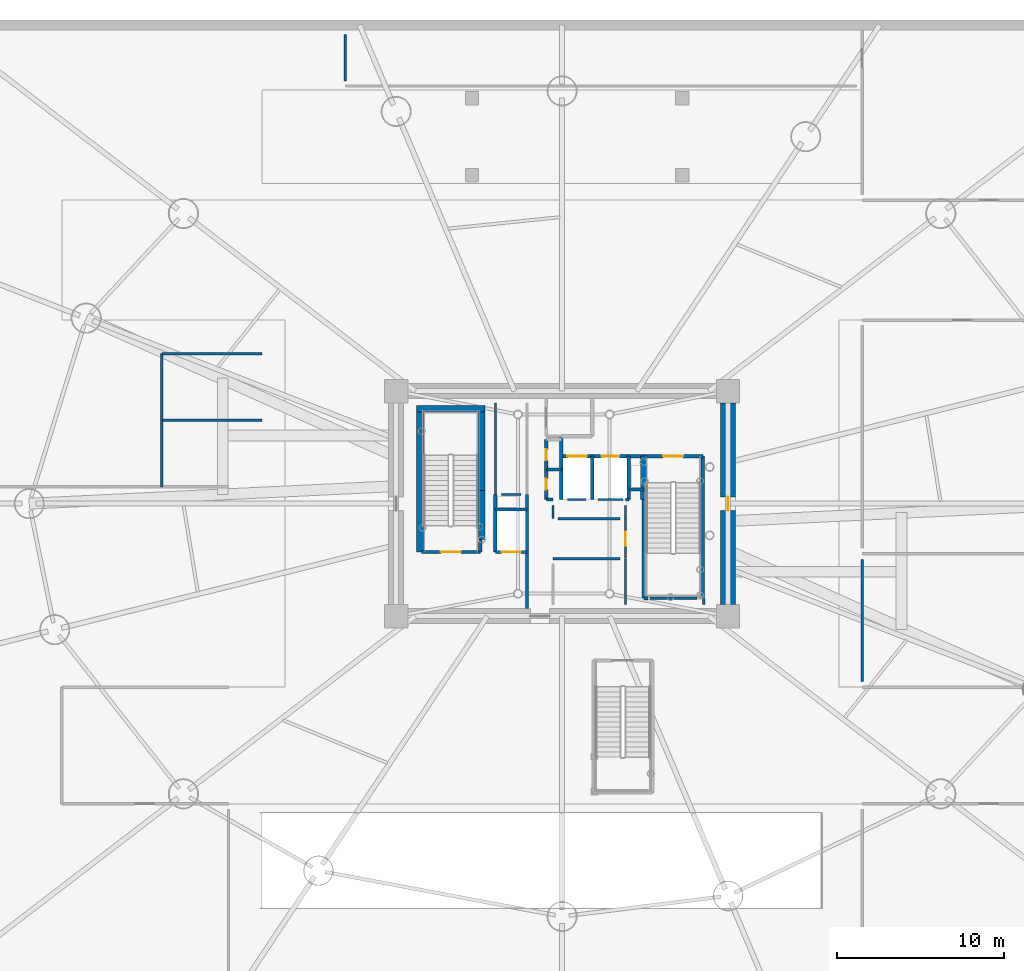
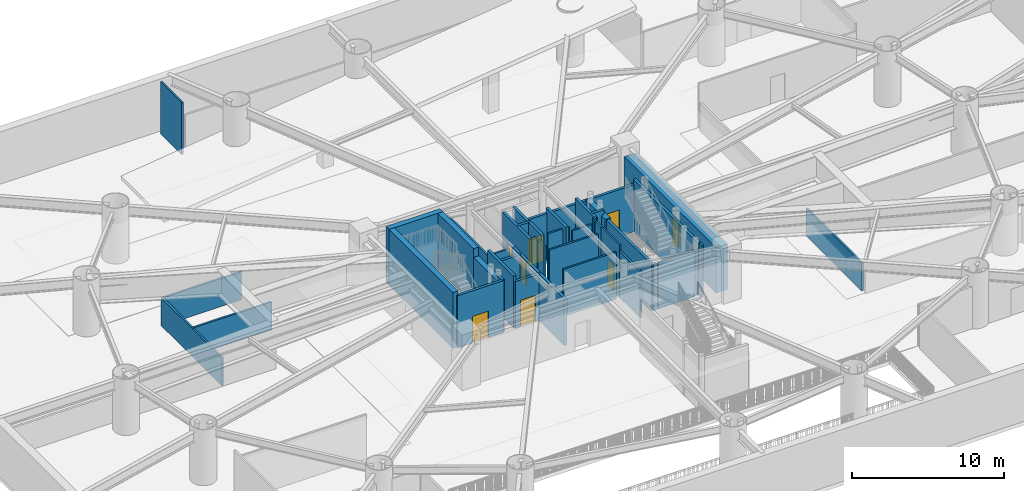
# One storey, part 10 of 21: 41 walls, 9 doors, 9 openings.
"""IFC4 building model written with IfcOpenShell, lengths in metres."""

import ifcopenshell
import ifcopenshell.guid

model = None  # the IFC model being written
_history = None  # IfcOwnerHistory: only IFC2X3 demands one
_inside = {}  # id of a spatial element -> (the spatial element, [elements in it])
_under = {}  # id of a project, library or spatial element -> (it, [spatial elements below it])
_declared = {}  # id of a project -> (the project, [libraries it declares])
_typed = {}  # id of a type object -> (the type object, [elements of that type])
_made_of = {}  # id of a material, layer set ... -> (it, [elements and type objects made of it])


def new_model(schema):
    """Start an empty IFC model of exactly this schema.

    Asked for "IFC4X3", IfcOpenShell would pick the latest addendum, in which some entities
    have other attributes; the version numbers below select the first issue.
    IFC2X3 requires an IfcOwnerHistory on every rooted entity: one is made here for all.
    """
    global model, _history
    if schema == "IFC4X3":
        model = ifcopenshell.file(schema_version=(4, 3, 0, 0))
    else:
        model = ifcopenshell.file(schema=schema)
    _inside.clear()
    _under.clear()
    _declared.clear()
    _typed.clear()
    _made_of.clear()
    _history = None
    if model.schema == "IFC2X3":
        org = make("IfcOrganization", Name="unknown")
        user = make(
            "IfcPersonAndOrganization",
            ThePerson=make("IfcPerson", FamilyName="unknown"),
            TheOrganization=org,
        )
        app = make(
            "IfcApplication",
            ApplicationDeveloper=org,
            Version="unknown",
            ApplicationFullName="unknown",
            ApplicationIdentifier="unknown",
        )
        _history = make(
            "IfcOwnerHistory",
            OwningUser=user,
            OwningApplication=app,
            ChangeAction="ADDED",
            CreationDate=0,
        )
    return model


def make(cls, **values):
    """One entity of the class cls with the attributes given. An attribute that is None is left unset."""
    return model.create_entity(
        cls, **{name: value for name, value in values.items() if value is not None}
    )


def rooted(cls, **values):
    """An entity with a GlobalId (a new one), such as an element, a storey or a relation."""
    return make(cls, GlobalId=ifcopenshell.guid.new(), OwnerHistory=_history, **values)


def si_unit(unit_type, name, prefix=None):
    """IfcSIUnit, for example si_unit("LENGTHUNIT", "METRE", prefix="MILLI")."""
    return make("IfcSIUnit", UnitType=unit_type, Prefix=prefix, Name=name)


def assignment(units):
    """IfcUnitAssignment: the units of a project."""
    return None if units is None else make("IfcUnitAssignment", Units=units)


def point(xyz):
    """IfcCartesianPoint."""
    return None if xyz is None else make("IfcCartesianPoint", Coordinates=xyz)


def direction(xyz):
    """IfcDirection."""
    return None if xyz is None else make("IfcDirection", DirectionRatios=xyz)


def frame(location, z_axis=None, x_axis=None):
    """IfcAxis2Placement3D, a coordinate frame: its origin and axes. An axis left out is left unset."""
    return make(
        "IfcAxis2Placement3D",
        Location=point(location),
        Axis=direction(z_axis),
        RefDirection=direction(x_axis),
    )


def frame_2d(location, x_axis=None):
    """IfcAxis2Placement2D, a coordinate frame in the plane: its origin and x axis."""
    return make(
        "IfcAxis2Placement2D", Location=point(location), RefDirection=direction(x_axis)
    )


def origin():
    """The frame at (0, 0, 0) with its axes left unset."""
    return frame((0.0, 0.0, 0.0))


def origin_2d():
    """The frame at (0, 0) in the plane with its x axis left unset."""
    return frame_2d((0.0, 0.0))


def place(relative_to, where):
    """IfcLocalPlacement: puts the frame where relative to a parent placement (None: the world)."""
    return make(
        "IfcLocalPlacement", PlacementRelTo=relative_to, RelativePlacement=where
    )


def context(
    kind, dimensions, precision=None, world=None, true_north=None, identifier=None
):
    """IfcGeometricRepresentationContext, for example the 3D "Model" context."""
    return make(
        "IfcGeometricRepresentationContext",
        ContextIdentifier=identifier,
        ContextType=kind,
        CoordinateSpaceDimension=dimensions,
        Precision=precision,
        WorldCoordinateSystem=world,
        TrueNorth=true_north,
    )


def subcontext(parent, identifier, kind, view, scale=None):
    """IfcGeometricRepresentationSubContext, for example "Body" below "Model"."""
    return make(
        "IfcGeometricRepresentationSubContext",
        ContextIdentifier=identifier,
        ContextType=kind,
        ParentContext=parent,
        TargetScale=scale,
        TargetView=view,
    )


def project(units=None, contexts=None):
    """IfcProject with its units and contexts."""
    return rooted(
        "IfcProject",
        Name="project",
        RepresentationContexts=contexts,
        UnitsInContext=assignment(units),
    )


def spatial(cls, under=None, at=None, **own):
    """A site, building, storey or space (cls), placed at a placement, below another one or the project."""
    s = rooted(cls, ObjectPlacement=at, **own)
    if under is not None:
        _under.setdefault(under.id(), (under, []))[1].append(s)
    return s


def profile(cls, at=None, kind="AREA", **sizes):
    """A parametric profile (cls). Its sizes go by their IFC names, for example OverallWidth=200.0."""
    return make(cls, ProfileType=kind, Position=at, **sizes)


def rectangle(**sizes):
    """IfcRectangleProfileDef."""
    return profile("IfcRectangleProfileDef", **sizes)


def extrude(swept, where, along, depth):
    """IfcExtrudedAreaSolid: the profile swept, set in the frame where, extruded along a direction by depth."""
    return make(
        "IfcExtrudedAreaSolid",
        SweptArea=swept,
        Position=where,
        ExtrudedDirection=direction(along),
        Depth=depth,
    )


def shape(context_of_items, identifier, shape_type, items):
    """IfcShapeRepresentation: the items that make up one representation, for example the "Body"."""
    return make(
        "IfcShapeRepresentation",
        ContextOfItems=context_of_items,
        RepresentationIdentifier=identifier,
        RepresentationType=shape_type,
        Items=items,
    )


def source(mapping_origin, context_of_items, identifier, shape_type, items):
    """IfcRepresentationMap: a shape defined once, which mapped items show again and again."""
    return make(
        "IfcRepresentationMap",
        MappingOrigin=mapping_origin,
        MappedRepresentation=shape(context_of_items, identifier, shape_type, items),
    )


def transform(
    local_origin,
    x_axis=None,
    y_axis=None,
    z_axis=None,
    scale=None,
    scale2=None,
    scale3=None,
    uniform=True,
):
    """IfcCartesianTransformationOperator3D, or its non-uniform kind. x_axis, y_axis, z_axis: its Axis1, 2, 3."""
    if uniform:
        return make(
            "IfcCartesianTransformationOperator3D",
            Axis1=direction(x_axis),
            Axis2=direction(y_axis),
            LocalOrigin=point(local_origin),
            Scale=scale,
            Axis3=direction(z_axis),
        )
    return make(
        "IfcCartesianTransformationOperator3DnonUniform",
        Axis1=direction(x_axis),
        Axis2=direction(y_axis),
        LocalOrigin=point(local_origin),
        Scale=scale,
        Axis3=direction(z_axis),
        Scale2=scale2,
        Scale3=scale3,
    )


def mapped(mapping_source, mapping_target):
    """IfcMappedItem: shows the shape of a source again, moved by a transform."""
    return make(
        "IfcMappedItem", MappingSource=mapping_source, MappingTarget=mapping_target
    )


def material(Name=None, Category=None):
    """IfcMaterial."""
    return make("IfcMaterial", Name=Name, Category=Category)


def layer(
    of_material, thickness, ventilated=None, Name=None, Category=None, Priority=None
):
    """IfcMaterialLayer: one layer of a wall or slab, of a material (None: an air gap)."""
    return make(
        "IfcMaterialLayer",
        Material=of_material,
        LayerThickness=thickness,
        IsVentilated=ventilated,
        Name=Name,
        Category=Category,
        Priority=Priority,
    )


def layer_set(layers, Name=None):
    """IfcMaterialLayerSet."""
    return make("IfcMaterialLayerSet", MaterialLayers=layers, LayerSetName=Name)


def made_of(thing, what):
    """Note that an element or type object is made of a material, layer set ...; save() writes the relation."""
    if what is not None:
        _made_of.setdefault(what.id(), (what, []))[1].append(thing)
    return thing


def type_object(cls, material=None, **own):
    """A type object (cls), such as IfcWallType, which elements share."""
    return made_of(rooted(cls, **own), material)


def element(
    cls,
    number,
    at=None,
    inside=None,
    cuts=None,
    type_object=None,
    material=None,
    context=None,
    identifier="Body",
    shape_type=None,
    held_by="IfcProductDefinitionShape",
    body=None,
    shapes=None,
    **own,
):
    """One element of the class cls, such as IfcWall. Its Tag is "e" and its number.

    at: its placement. inside: the storey or other place that contains it. cuts: it is an
    opening in that element (IfcRelVoidsElement). A single representation is given by context,
    identifier, shape_type and body (its items); several are given by shapes. held_by: the class
    of the entity that holds the representations. save() writes the other relations.
    """
    e = rooted(cls, Tag="e%d" % number, ObjectPlacement=at, **own)
    if body is not None:
        shapes = [shape(context, identifier, shape_type, body)]
    if shapes is not None:
        e.Representation = make(held_by, Representations=shapes)
    if inside is not None:
        _inside.setdefault(inside.id(), (inside, []))[1].append(e)
    if cuts is not None:
        rooted(
            "IfcRelVoidsElement", RelatingBuildingElement=cuts, RelatedOpeningElement=e
        )
    if type_object is not None:
        _typed.setdefault(type_object.id(), (type_object, []))[1].append(e)
    return made_of(e, material)


def fill(opening, filler):
    """IfcRelFillsElement: the door or window that sits in an opening."""
    return rooted(
        "IfcRelFillsElement",
        RelatingOpeningElement=opening,
        RelatedBuildingElement=filler,
    )


def aggregate(whole, parts):
    """IfcRelAggregates: a whole, such as a stair, and the parts it consists of."""
    return rooted("IfcRelAggregates", RelatingObject=whole, RelatedObjects=parts)


def save(model, path):
    """Write the relations noted so far, then the file.

    IfcRelAggregates (storeys below a building ...), IfcRelContainedInSpatialStructure (elements
    in a storey), IfcRelDefinesByType, IfcRelAssociatesMaterial and IfcRelDeclares: one each for
    every whole, place, type object, material and project.
    """
    for whole, parts in _under.values():
        aggregate(whole, parts)
    for where, things in _inside.values():
        rooted(
            "IfcRelContainedInSpatialStructure",
            RelatedElements=things,
            RelatingStructure=where,
        )
    for kind, things in _typed.values():
        rooted("IfcRelDefinesByType", RelatedObjects=things, RelatingType=kind)
    for what, things in _made_of.values():
        rooted("IfcRelAssociatesMaterial", RelatedObjects=things, RelatingMaterial=what)
    for by, libraries in _declared.values():
        rooted("IfcRelDeclares", RelatingContext=by, RelatedDefinitions=libraries)
    model.write(path)


model = new_model("IFC4")

# Units and contexts
model_context = context("Model", 3, precision=1e-05, world=origin(), true_north=direction((0.0, 1.0)))
body_context = subcontext(model_context, "Body", "Model", "MODEL_VIEW")
ifc_project = project(units=[si_unit("LENGTHUNIT", "METRE"), si_unit("AREAUNIT", "SQUARE_METRE"), si_unit("VOLUMEUNIT", "CUBIC_METRE"), si_unit("PLANEANGLEUNIT", "RADIAN"), si_unit("MASSUNIT", "GRAM", prefix="KILO")], contexts=[model_context])

# Site, building, storey
site_placement = place(None, origin())
site = spatial("IfcSite", under=ifc_project, at=site_placement, CompositionType="ELEMENT")
building_placement = place(site_placement, origin())
building = spatial("IfcBuilding", under=site, at=building_placement, Name="Linh Dai School and Residence Tower", CompositionType="ELEMENT")
storey_placement = place(building_placement, frame((0.0, 0.0, -4.5)))
storey = spatial("IfcBuildingStorey", under=building, at=storey_placement, Name="B01", CompositionType="ELEMENT", Elevation=-4.5)

# Wall, opening, door
ifc_material_1 = material(Name="Autoclaved Aerated Concrete Blockwork", Category="masonry")
ifc_layer_1 = layer(ifc_material_1, 0.135009765625)
ifc_layer_set_1 = layer_set([ifc_layer_1], Name="Autoclaved Aerated Concrete Blockwork")
wall_type_1 = type_object("IfcWallType", Name="IW-CORR-135-EI90", PredefinedType="PARTITIONING", material=ifc_layer_set_1)
wall_1_placement = place(storey_placement, frame((39.800048828125, 23.699951171875, 0.0), z_axis=(0.0, 0.0, 1.0), x_axis=(0.0, 1.0, 0.0)))
wall_1 = element("IfcWall", 1, at=wall_1_placement, inside=storey, type_object=wall_type_1, Name="B01 Interior Partition Wall 028", PredefinedType="PARTITIONING", context=body_context, shape_type="SweptSolid", body=[
    extrude(rectangle(XDim=2.400146484375, YDim=0.135009765625, at=frame_2d((1.2001953125, 0.0))), origin(), (0.0, 0.0, 1.0), 4.199951171875),
])
opening_1_placement = place(wall_1_placement, frame((0.7900390625, 0.0, 0.0)))
opening_1 = element("IfcOpeningElement", 2, at=opening_1_placement, cuts=wall_1, Name="Opening D06", PredefinedType="OPENING", context=body_context, shape_type="SweptSolid", body=[
    extrude(rectangle(XDim=0.820068359375, YDim=2.10009765625, at=origin_2d()), frame((0.41015625, 0.07763671875, 1.050048828125), z_axis=(0.0, -1.0, 0.0), x_axis=(1.0, 0.0, 0.0)), (0.0, 0.0, 1.0), 0.155029296875),
])
ifc_material_2 = material(Name="Moisture-Resistant Timber Bathroom Door", Category="wood")
door_type_1 = type_object("IfcDoorType", Name="DR-WET-820x2100", OperationType="NOTDEFINED", PredefinedType="DOOR", material=ifc_material_2)
shared_shape_1 = source(origin(), body_context, "Body", "SweptSolid", [
    extrude(rectangle(XDim=0.820068359375, YDim=2.10009765625, at=origin_2d()), frame((0.41015625, 0.02490234375, 1.050048828125), z_axis=(0.0, -1.0, 0.0), x_axis=(1.0, 0.0, 0.0)), (0.0, 0.0, 1.0), 0.050048828125),
])
door_1_placement = place(opening_1_placement, origin())
door_1 = element("IfcDoor", 3, at=door_1_placement, inside=storey, type_object=door_type_1, Name="B01 East Linen Store Door", OperationType="SINGLE_SWING_RIGHT", OverallHeight=2.10009765625, OverallWidth=0.820068359375, PredefinedType="DOOR", context=body_context, shape_type="MappedRepresentation", body=[
    mapped(shared_shape_1, transform((0.0, 0.0, 0.0), x_axis=(1.0, 0.0, 0.0), y_axis=(0.0, 1.0, 0.0), z_axis=(0.0, 0.0, 1.0), scale=1.0)),
])
fill(opening_1, door_1)

# Walls
wall_2_placement = place(storey_placement, frame((44.080078125, 21.330078125, 0.0), z_axis=(0.0, 0.0, 1.0), x_axis=(-1.0, 0.0, 0.0)))
element("IfcWall", 4, at=wall_2_placement, inside=storey, type_object=wall_type_1, Name="B01 Interior Partition Wall 045", PredefinedType="PARTITIONING", context=body_context, shape_type="SweptSolid", body=[
    extrude(rectangle(XDim=2.820068359375, YDim=0.135009765625, at=frame_2d((1.41015625, 0.0))), origin(), (0.0, 0.0, 1.0), 3.735107421875),
])
wall_3_placement = place(storey_placement, frame((37.43994140625, 27.25, 0.0), z_axis=(0.0, 0.0, 1.0), x_axis=(-1.0, 0.0, 0.0)))
element("IfcWall", 5, at=wall_3_placement, inside=storey, type_object=wall_type_1, Name="B01 Interior Partition Wall 046", PredefinedType="PARTITIONING", context=body_context, shape_type="SweptSolid", body=[
    extrude(rectangle(XDim=1.1298828125, YDim=0.135009765625, at=frame_2d((0.56494140625, 0.0))), origin(), (0.0, 0.0, 1.0), 4.199951171875),
])
wall_4_placement = place(storey_placement, frame((39.639892578125, 27.25, 0.0), z_axis=(0.0, 0.0, 1.0), x_axis=(-1.0, 0.0, 0.0)))
element("IfcWall", 6, at=wall_4_placement, inside=storey, type_object=wall_type_1, Name="B01 Interior Partition Wall 047", PredefinedType="PARTITIONING", context=body_context, shape_type="SweptSolid", body=[
    extrude(rectangle(XDim=1.47998046875, YDim=0.135009765625, at=frame_2d((0.739990234375, 0.0))), origin(), (0.0, 0.0, 1.0), 3.784912109375),
])
wall_5_placement = place(storey_placement, frame((32.360107421875, 27.550048828125, 0.0), z_axis=(0.0, 0.0, 1.0), x_axis=(1.0, 0.0, 0.0)))
element("IfcWall", 7, at=wall_5_placement, inside=storey, type_object=wall_type_1, Name="B01 Interior Partition Wall 048", PredefinedType="PARTITIONING", context=body_context, shape_type="SweptSolid", body=[
    extrude(rectangle(XDim=1.179931640625, YDim=0.135009765625, at=frame_2d((0.58984375, 0.0))), origin(), (0.0, 0.0, 1.0), 3.784912109375),
])
wall_6_placement = place(storey_placement, frame((39.800048828125, 20.9599609375, 0.0), z_axis=(0.0, 0.0, 1.0), x_axis=(0.0, 1.0, 0.0)))
element("IfcWall", 8, at=wall_6_placement, inside=storey, type_object=wall_type_1, Name="B01 Interior Partition Wall 049", PredefinedType="PARTITIONING", context=body_context, shape_type="SweptSolid", body=[
    extrude(rectangle(XDim=2.72998046875, YDim=0.135009765625, at=frame_2d((1.364990234375, 0.0))), origin(), (0.0, 0.0, 1.0), 3.735107421875),
])
wall_7_placement = place(storey_placement, frame((39.800048828125, 26.110107421875, 0.0), z_axis=(0.0, 0.0, 1.0), x_axis=(0.0, 1.0, 0.0)))
element("IfcWall", 9, at=wall_7_placement, inside=storey, type_object=wall_type_1, Name="B01 Interior Partition Wall 050", PredefinedType="PARTITIONING", context=body_context, shape_type="SweptSolid", body=[
    extrude(rectangle(XDim=0.77978515625, YDim=0.135009765625, at=frame_2d((0.389892578125, 0.0))), origin(), (0.0, 0.0, 1.0), 4.199951171875),
])
wall_8_placement = place(storey_placement, frame((32.0, 33.0400390625, 0.0), z_axis=(0.0, 0.0, 1.0), x_axis=(0.0, -1.0, 0.0)))
element("IfcWall", 10, at=wall_8_placement, inside=storey, type_object=wall_type_1, Name="B01 Interior Partition Wall 051", PredefinedType="PARTITIONING", context=body_context, shape_type="SweptSolid", body=[
    extrude(rectangle(XDim=5.47998046875, YDim=0.135009765625, at=frame_2d((2.739990234375, 0.0))), origin(), (0.0, 0.0, 1.0), 3.735107421875),
])
wall_9_placement = place(storey_placement, frame((44.5, 20.9599609375, 0.0), z_axis=(0.0, 0.0, 1.0), x_axis=(0.0, 1.0, 0.0)))
element("IfcWall", 11, at=wall_9_placement, inside=storey, type_object=wall_type_1, Name="B01 Interior Partition Wall 052", PredefinedType="PARTITIONING", context=body_context, shape_type="SweptSolid", body=[
    extrude(rectangle(XDim=0.360107421875, YDim=0.135009765625, at=frame_2d((0.18017578125, 0.0))), origin(), (0.0, 0.0, 1.0), 4.199951171875),
])
wall_10_placement = place(storey_placement, frame((35.449951171875, 26.889892578125, 0.0), z_axis=(0.0, 0.0, 1.0), x_axis=(0.0, -1.0, 0.0)))
element("IfcWall", 12, at=wall_10_placement, inside=storey, type_object=wall_type_1, Name="B01 Interior Partition Wall 053", PredefinedType="PARTITIONING", context=body_context, shape_type="SweptSolid", body=[
    extrude(rectangle(XDim=0.789794921875, YDim=0.135009765625, at=frame_2d((0.39501953125, 0.0))), origin(), (0.0, 0.0, 1.0), 4.199951171875),
])
wall_11_placement = place(storey_placement, frame((35.757568359375, 26.10009765625, 0.0), z_axis=(0.0, 0.0, 1.0), x_axis=(1.0, 0.0, 0.0)))
element("IfcWall", 13, at=wall_11_placement, inside=storey, type_object=wall_type_1, Name="B01 Interior Partition Wall 054", PredefinedType="PARTITIONING", context=body_context, shape_type="SweptSolid", body=[
    extrude(rectangle(XDim=3.71484375, YDim=0.135009765625, at=frame_2d((1.857421875, 0.0))), origin(), (0.0, 0.0, 1.0), 3.784912109375),
])
wall_12_placement = place(storey_placement, frame((39.472412109375, 23.699951171875, 0.0), z_axis=(0.0, 0.0, 1.0), x_axis=(-1.0, 0.0, 0.0)))
element("IfcWall", 14, at=wall_12_placement, inside=storey, type_object=wall_type_1, Name="B01 Interior Partition Wall 055", PredefinedType="PARTITIONING", context=body_context, shape_type="SweptSolid", body=[
    extrude(rectangle(XDim=4.0224609375, YDim=0.135009765625, at=frame_2d((2.01123046875, 0.0))), origin(), (0.0, 0.0, 1.0), 3.784912109375),
])
wall_13_placement = place(storey_placement, frame((54.0, 16.327392578125, 0.0), z_axis=(0.0, 0.0, 1.0), x_axis=(0.0, 1.0, 0.0)))
element("IfcWall", 15, at=wall_13_placement, inside=storey, type_object=wall_type_1, Name="B01 Interior Partition Wall 060", PredefinedType="PARTITIONING", context=body_context, shape_type="SweptSolid", body=[
    extrude(rectangle(XDim=7.337646484375, YDim=0.135009765625, at=frame_2d((3.6689453125, 0.0))), origin(), (0.0, 0.0, 1.0), 2.25),
])
wall_14_placement = place(storey_placement, frame((23.0, 52.357421875, 0.0), z_axis=(0.0, 0.0, 1.0), x_axis=(0.0, 1.0, 0.0)))
element("IfcWall", 16, at=wall_14_placement, inside=storey, type_object=wall_type_1, Name="B01 Interior Partition Wall 064", PredefinedType="PARTITIONING", context=body_context, shape_type="SweptSolid", body=[
    extrude(rectangle(XDim=2.782470703125, YDim=0.135009765625, at=frame_2d((1.39111328125, 0.0))), origin(), (0.0, 0.0, 1.0), 4.199951171875),
])
ifc_layer_2 = layer(ifc_material_1, 0.14990234375)
ifc_layer_set_2 = layer_set([ifc_layer_2], Name="Autoclaved Aerated Concrete Blockwork")
wall_type_2 = type_object("IfcWallType", Name="IW-SCH-150-EI60", PredefinedType="PARTITIONING", material=ifc_layer_set_2)
wall_15_placement = place(storey_placement, frame((12.0, 28.0, 0.0), z_axis=(0.0, 0.0, 1.0), x_axis=(0.0, 1.0, 0.0)))
element("IfcWall", 17, at=wall_15_placement, inside=storey, type_object=wall_type_2, Name="B01 Interior Partition Wall 005", PredefinedType="PARTITIONING", context=body_context, shape_type="SweptSolid", body=[
    extrude(rectangle(XDim=8.0, YDim=0.14990234375, at=frame_2d((4.0, 0.0))), origin(), (0.0, 0.0, 1.0), 2.25),
])
for number, where, z_axis, x_axis, name in (
    (18, (12.0, 32.0, 0.0), (0.0, 0.0, 1.0), (1.0, 0.0, 0.0), "B01 Interior Partition Wall 006"),
    (19, (12.0, 36.0, 0.0), (0.0, 0.0, 1.0), (1.0, 0.0, 0.0), "B01 Interior Partition Wall 007"),
):
    element("IfcWall", number, at=place(storey_placement, frame(where, z_axis=z_axis, x_axis=x_axis)), inside=storey, type_object=wall_type_2, Name=name, PredefinedType="PARTITIONING", context=body_context, shape_type="SweptSolid", body=[
        extrude(rectangle(XDim=6.0, YDim=0.14990234375, at=frame_2d((3.0, 0.0))), origin(), (0.0, 0.0, 1.0), 2.25),
    ])

# Wall, opening, door
ifc_material_3 = material(Name="Concrete B45 (C35/45)", Category="concrete")
ifc_layer_3 = layer(ifc_material_3, 0.199951171875)
ifc_layer_set_3 = layer_set([ifc_layer_3], Name="Concrete B45 (C35/45)")
wall_type_3 = type_object("IfcWallType", Name="IW-SHAFT-200-EI120", PredefinedType="PARTITIONING", material=ifc_layer_set_3)
wall_16_placement = place(storey_placement, frame((27.56005859375, 24.10009765625, 0.0), z_axis=(0.0, 0.0, 1.0), x_axis=(1.0, 0.0, 0.0)))
wall_16 = element("IfcWall", 20, at=wall_16_placement, inside=storey, type_object=wall_type_3, Name="B01 Interior Partition Wall 008", PredefinedType="PARTITIONING", context=body_context, shape_type="SweptSolid", body=[
    extrude(rectangle(XDim=3.5400390625, YDim=0.199951171875, at=frame_2d((1.77001953125, 0.0))), origin(), (0.0, 0.0, 1.0), 4.199951171875),
])
opening_2_placement = place(wall_16_placement, frame((1.169921875, 0.0, 0.0)))
opening_2 = element("IfcOpeningElement", 21, at=opening_2_placement, cuts=wall_16, Name="Opening D01", PredefinedType="OPENING", context=body_context, shape_type="SweptSolid", body=[
    extrude(rectangle(XDim=1.199951171875, YDim=2.14990234375, at=origin_2d()), frame((0.60009765625, 0.10986328125, 1.074951171875), z_axis=(0.0, -1.0, 0.0), x_axis=(1.0, 0.0, 0.0)), (0.0, 0.0, 1.0), 0.219970703125),
])
ifc_material_4 = material(Name="Fire-Rated Steel Door Leaf", Category="steel")
door_type_2 = type_object("IfcDoorType", Name="DR-STAIR-1200x2150-FD90S", OperationType="NOTDEFINED", PredefinedType="DOOR", material=ifc_material_4)
shared_shape_2 = source(origin(), body_context, "Body", "SweptSolid", [
    extrude(rectangle(XDim=1.199951171875, YDim=2.14990234375, at=origin_2d()), frame((0.60009765625, 0.02490234375, 1.074951171875), z_axis=(0.0, -1.0, 0.0), x_axis=(1.0, 0.0, 0.0)), (0.0, 0.0, 1.0), 0.050048828125),
])
door_2_placement = place(opening_2_placement, origin())
door_2 = element("IfcDoor", 22, at=door_2_placement, inside=storey, type_object=door_type_2, Name="B01 Core Smokeproof Exit Stair ST1 Door", OperationType="SINGLE_SWING_RIGHT", OverallHeight=2.14990234375, OverallWidth=1.199951171875, PredefinedType="DOOR", context=body_context, shape_type="MappedRepresentation", body=[
    mapped(shared_shape_2, transform((0.0, 0.0, 0.0), x_axis=(1.0, 0.0, 0.0), y_axis=(0.0, 1.0, 0.0), z_axis=(0.0, 0.0, 1.0), scale=1.0)),
])
fill(opening_2, door_2)

# Walls
wall_17_placement = place(storey_placement, frame((31.10009765625, 24.10009765625, 0.0), z_axis=(0.0, 0.0, 1.0), x_axis=(0.0, 1.0, 0.0)))
element("IfcWall", 23, at=wall_17_placement, inside=storey, type_object=wall_type_3, Name="B01 Interior Partition Wall 009", PredefinedType="PARTITIONING", context=body_context, shape_type="SweptSolid", body=[
    extrude(rectangle(XDim=0.739990234375, YDim=0.199951171875, at=frame_2d((0.3701171875, 0.0))), origin(), (0.0, 0.0, 1.0), 4.199951171875),
])
wall_18_placement = place(storey_placement, frame((32.0, 24.10009765625, 0.0), z_axis=(0.0, 0.0, 1.0), x_axis=(0.0, 1.0, 0.0)))
element("IfcWall", 24, at=wall_18_placement, inside=storey, type_object=wall_type_3, Name="B01 Interior Partition Wall 010", PredefinedType="PARTITIONING", context=body_context, shape_type="SweptSolid", body=[
    extrude(rectangle(XDim=3.449951171875, YDim=0.199951171875, at=frame_2d((1.72509765625, 0.0))), origin(), (0.0, 0.0, 1.0), 4.199951171875),
])

# Wall, opening, door
wall_19_placement = place(storey_placement, frame((32.0, 24.10009765625, 0.0), z_axis=(0.0, 0.0, 1.0), x_axis=(1.0, 0.0, 0.0)))
wall_19 = element("IfcWall", 25, at=wall_19_placement, inside=storey, type_object=wall_type_3, Name="B01 Interior Partition Wall 011", PredefinedType="PARTITIONING", context=body_context, shape_type="SweptSolid", body=[
    extrude(rectangle(XDim=1.89990234375, YDim=0.199951171875, at=frame_2d((0.949951171875, 0.0))), origin(), (0.0, 0.0, 1.0), 3.784912109375),
])
opening_3_placement = place(wall_19_placement, frame((0.375, 0.0, 0.0)))
opening_3 = element("IfcOpeningElement", 26, at=opening_3_placement, cuts=wall_19, Name="Opening LD-FF2", PredefinedType="OPENING", context=body_context, shape_type="SweptSolid", body=[
    extrude(rectangle(XDim=1.14990234375, YDim=2.14990234375, at=origin_2d()), frame((0.574951171875, 0.10986328125, 1.074951171875), z_axis=(0.0, -1.0, 0.0), x_axis=(1.0, 0.0, 0.0)), (0.0, 0.0, 1.0), 0.219970703125),
])
ifc_material_5 = material(Name="Fire-Rated Stainless Steel Firefighting Lift Door", Category="steel")
door_type_3 = type_object("IfcDoorType", Name="DR-LD-FF-1150x2150-FD120", OperationType="DOUBLE_DOOR_SLIDING", PredefinedType="USERDEFINED", material=ifc_material_5)
shared_shape_3 = source(origin(), body_context, "Body", "SweptSolid", [
    extrude(rectangle(XDim=1.14990234375, YDim=2.14990234375, at=origin_2d()), frame((0.574951171875, 0.02490234375, 1.074951171875), z_axis=(0.0, -1.0, 0.0), x_axis=(1.0, 0.0, 0.0)), (0.0, 0.0, 1.0), 0.050048828125),
])
door_3_placement = place(opening_3_placement, origin())
door_3 = element("IfcDoor", 27, at=door_3_placement, inside=storey, type_object=door_type_3, Name="B01 Lift FF2 Sliding Landing Door", ObjectType="LANDING DOOR", OperationType="DOUBLE_DOOR_SLIDING", OverallHeight=2.14990234375, OverallWidth=1.14990234375, PredefinedType="USERDEFINED", context=body_context, shape_type="MappedRepresentation", body=[
    mapped(shared_shape_3, transform((0.0, 0.0, 0.0), x_axis=(1.0, 0.0, 0.0), y_axis=(0.0, 1.0, 0.0), z_axis=(0.0, 0.0, 1.0), scale=1.0)),
])
fill(opening_3, door_3)

# Walls
wall_20_placement = place(storey_placement, frame((32.0, 26.64990234375, 0.0), z_axis=(0.0, 0.0, 1.0), x_axis=(1.0, 0.0, 0.0)))
element("IfcWall", 28, at=wall_20_placement, inside=storey, type_object=wall_type_3, Name="B01 Interior Partition Wall 012", PredefinedType="PARTITIONING", context=body_context, shape_type="SweptSolid", body=[
    extrude(rectangle(XDim=1.89990234375, YDim=0.199951171875, at=frame_2d((0.949951171875, 0.0))), origin(), (0.0, 0.0, 1.0), 3.784912109375),
])
wall_21_placement = place(storey_placement, frame((33.89990234375, 20.699951171875, 0.0), z_axis=(0.0, 0.0, 1.0), x_axis=(0.0, 1.0, 0.0)))
element("IfcWall", 29, at=wall_21_placement, inside=storey, type_object=wall_type_3, Name="B01 Interior Partition Wall 013", PredefinedType="PARTITIONING", context=body_context, shape_type="SweptSolid", body=[
    extrude(rectangle(XDim=6.85009765625, YDim=0.199951171875, at=frame_2d((3.425048828125, 0.0))), origin(), (0.0, 0.0, 1.0), 3.784912109375),
])

# Wall, openings, doors
wall_22_placement = place(storey_placement, frame((35.050048828125, 27.25, 0.0), z_axis=(0.0, 0.0, 1.0), x_axis=(0.0, 1.0, 0.0)))
wall_22 = element("IfcWall", 30, at=wall_22_placement, inside=storey, type_object=wall_type_3, Name="B01 Interior Partition Wall 014", PredefinedType="PARTITIONING", context=body_context, shape_type="SweptSolid", body=[
    extrude(rectangle(XDim=3.60009765625, YDim=0.199951171875, at=frame_2d((1.800048828125, 0.0))), origin(), (0.0, 0.0, 1.0), 4.199951171875),
])
opening_4_placement = place(wall_22_placement, frame((0.590087890625, 0.0, 0.0)))
opening_4 = element("IfcOpeningElement", 31, at=opening_4_placement, cuts=wall_22, Name="Opening AD1", PredefinedType="OPENING", context=body_context, shape_type="SweptSolid", body=[
    extrude(rectangle(XDim=0.659912109375, YDim=2.050048828125, at=origin_2d()), frame((0.330078125, 0.10986328125, 1.02490234375), z_axis=(0.0, -1.0, 0.0), x_axis=(1.0, 0.0, 0.0)), (0.0, 0.0, 1.0), 0.219970703125),
])
opening_5_placement = place(wall_22_placement, frame((2.35009765625, 0.0, 0.0)))
opening_5 = element("IfcOpeningElement", 32, at=opening_5_placement, cuts=wall_22, Name="Opening AD1", PredefinedType="OPENING", context=body_context, shape_type="SweptSolid", body=[
    extrude(rectangle(XDim=0.659912109375, YDim=2.050048828125, at=origin_2d()), frame((0.330078125, 0.10986328125, 1.02490234375), z_axis=(0.0, -1.0, 0.0), x_axis=(1.0, 0.0, 0.0)), (0.0, 0.0, 1.0), 0.219970703125),
])
ifc_material_6 = material(Name="Fire-Rated Steel Riser Access Door", Category="steel")
door_type_4 = type_object("IfcDoorType", Name="DR-ACC-660x2050-FD90S", OperationType="NOTDEFINED", PredefinedType="USERDEFINED", material=ifc_material_6)
shared_shape_4 = source(origin(), body_context, "Body", "SweptSolid", [
    extrude(rectangle(XDim=0.659912109375, YDim=2.050048828125, at=origin_2d()), frame((0.330078125, 0.02490234375, 1.02490234375), z_axis=(0.0, -1.0, 0.0), x_axis=(1.0, 0.0, 0.0)), (0.0, 0.0, 1.0), 0.050048828125),
])
door_4_placement = place(opening_4_placement, origin())
door_4 = element("IfcDoor", 33, at=door_4_placement, inside=storey, type_object=door_type_4, Name="B01 Telecom and Data Riser Access Door", ObjectType="ACCESS DOOR", OperationType="SINGLE_SWING_LEFT", OverallHeight=2.050048828125, OverallWidth=0.659912109375, PredefinedType="USERDEFINED", context=body_context, shape_type="MappedRepresentation", body=[
    mapped(shared_shape_4, transform((0.0, 0.0, 0.0), x_axis=(1.0, 0.0, 0.0), y_axis=(0.0, 1.0, 0.0), z_axis=(0.0, 0.0, 1.0), scale=1.0)),
])
fill(opening_4, door_4)
door_5_placement = place(opening_5_placement, origin())
door_5 = element("IfcDoor", 34, at=door_5_placement, inside=storey, type_object=door_type_4, Name="B01 Mechanical and Plumbing Riser Access Door", ObjectType="ACCESS DOOR", OperationType="SINGLE_SWING_RIGHT", OverallHeight=2.050048828125, OverallWidth=0.659912109375, PredefinedType="USERDEFINED", context=body_context, shape_type="MappedRepresentation", body=[
    mapped(shared_shape_4, transform((0.0, 0.0, 0.0), x_axis=(1.0, 0.0, 0.0), y_axis=(0.0, 1.0, 0.0), z_axis=(0.0, 0.0, 1.0), scale=1.0)),
])
fill(opening_5, door_5)

# Walls
wall_23_placement = place(storey_placement, frame((35.050048828125, 27.25, 0.0), z_axis=(0.0, 0.0, 1.0), x_axis=(1.0, 0.0, 0.0)))
element("IfcWall", 35, at=wall_23_placement, inside=storey, type_object=wall_type_3, Name="B01 Interior Partition Wall 015", PredefinedType="PARTITIONING", context=body_context, shape_type="SweptSolid", body=[
    extrude(rectangle(XDim=0.39990234375, YDim=0.199951171875, at=frame_2d((0.199951171875, 0.0))), origin(), (0.0, 0.0, 1.0), 4.199951171875),
])
wall_24_placement = place(storey_placement, frame((35.050048828125, 29.050048828125, 0.0), z_axis=(0.0, 0.0, 1.0), x_axis=(1.0, 0.0, 0.0)))
element("IfcWall", 36, at=wall_24_placement, inside=storey, type_object=wall_type_3, Name="B01 Interior Partition Wall 016", PredefinedType="PARTITIONING", context=body_context, shape_type="SweptSolid", body=[
    extrude(rectangle(XDim=0.89990234375, YDim=0.199951171875, at=frame_2d((0.449951171875, 0.0))), origin(), (0.0, 0.0, 1.0), 4.199951171875),
])
wall_25_placement = place(storey_placement, frame((35.949951171875, 27.25, 0.0), z_axis=(0.0, 0.0, 1.0), x_axis=(0.0, 1.0, 0.0)))
element("IfcWall", 37, at=wall_25_placement, inside=storey, type_object=wall_type_3, Name="B01 Interior Partition Wall 020", PredefinedType="PARTITIONING", context=body_context, shape_type="SweptSolid", body=[
    extrude(rectangle(XDim=3.800048828125, YDim=0.199951171875, at=frame_2d((1.89990234375, 0.0))), origin(), (0.0, 0.0, 1.0), 4.199951171875),
])

# Wall, openings, doors
wall_26_placement = place(storey_placement, frame((35.949951171875, 29.85009765625, 0.0), z_axis=(0.0, 0.0, 1.0), x_axis=(1.0, 0.0, 0.0)))
wall_26 = element("IfcWall", 38, at=wall_26_placement, inside=storey, type_object=wall_type_3, Name="B01 Interior Partition Wall 021", PredefinedType="PARTITIONING", context=body_context, shape_type="SweptSolid", body=[
    extrude(rectangle(XDim=8.489990234375, YDim=0.199951171875, at=frame_2d((4.2451171875, 0.0))), origin(), (0.0, 0.0, 1.0), 3.784912109375),
])
opening_6_placement = place(wall_26_placement, frame((6.10009765625, 0.0, 0.0)))
opening_6 = element("IfcOpeningElement", 39, at=opening_6_placement, cuts=wall_26, Name="Opening D01", PredefinedType="OPENING", context=body_context, shape_type="SweptSolid", body=[
    extrude(rectangle(XDim=1.199951171875, YDim=2.14990234375, at=origin_2d()), frame((0.60009765625, 0.10986328125, 1.074951171875), z_axis=(0.0, -1.0, 0.0), x_axis=(1.0, 0.0, 0.0)), (0.0, 0.0, 1.0), 0.219970703125),
])
opening_7_placement = place(wall_26_placement, frame((0.3701171875, 0.0, 0.0)))
opening_7 = element("IfcOpeningElement", 40, at=opening_7_placement, cuts=wall_26, Name="Opening LD-FF1", PredefinedType="OPENING", context=body_context, shape_type="SweptSolid", body=[
    extrude(rectangle(XDim=1.14990234375, YDim=2.14990234375, at=origin_2d()), frame((0.574951171875, 0.10986328125, 1.074951171875), z_axis=(0.0, -1.0, 0.0), x_axis=(1.0, 0.0, 0.0)), (0.0, 0.0, 1.0), 0.219970703125),
])
opening_8_placement = place(wall_26_placement, frame((2.425048828125, 0.0, 0.0)))
opening_8 = element("IfcOpeningElement", 41, at=opening_8_placement, cuts=wall_26, Name="Opening LD-SV1", PredefinedType="OPENING", context=body_context, shape_type="SweptSolid", body=[
    extrude(rectangle(XDim=1.050048828125, YDim=2.14990234375, at=origin_2d()), frame((0.52490234375, 0.10986328125, 1.074951171875), z_axis=(0.0, -1.0, 0.0), x_axis=(1.0, 0.0, 0.0)), (0.0, 0.0, 1.0), 0.219970703125),
])
door_6_placement = place(opening_6_placement, origin())
door_6 = element("IfcDoor", 42, at=door_6_placement, inside=storey, type_object=door_type_2, Name="B01 Core Smokeproof Exit Stair ST2 Door", OperationType="SINGLE_SWING_LEFT", OverallHeight=2.14990234375, OverallWidth=1.199951171875, PredefinedType="DOOR", context=body_context, shape_type="MappedRepresentation", body=[
    mapped(shared_shape_2, transform((0.0, 0.0, 0.0), x_axis=(1.0, 0.0, 0.0), y_axis=(0.0, 1.0, 0.0), z_axis=(0.0, 0.0, 1.0), scale=1.0)),
])
fill(opening_6, door_6)
door_7_placement = place(opening_7_placement, origin())
door_7 = element("IfcDoor", 43, at=door_7_placement, inside=storey, type_object=door_type_3, Name="B01 Lift FF1 Sliding Landing Door", ObjectType="LANDING DOOR", OperationType="DOUBLE_DOOR_SLIDING", OverallHeight=2.14990234375, OverallWidth=1.14990234375, PredefinedType="USERDEFINED", context=body_context, shape_type="MappedRepresentation", body=[
    mapped(shared_shape_3, transform((0.0, 0.0, 0.0), x_axis=(1.0, 0.0, 0.0), y_axis=(0.0, 1.0, 0.0), z_axis=(0.0, 0.0, 1.0), scale=1.0)),
])
fill(opening_7, door_7)
ifc_material_7 = material(Name="Brushed Stainless Steel Lift Landing Door", Category="steel")
door_type_5 = type_object("IfcDoorType", Name="DR-LD-PASS-1050x2150", OperationType="DOUBLE_DOOR_SLIDING", PredefinedType="USERDEFINED", material=ifc_material_7)
shared_shape_5 = source(origin(), body_context, "Body", "SweptSolid", [
    extrude(rectangle(XDim=1.050048828125, YDim=2.14990234375, at=origin_2d()), frame((0.52490234375, 0.02490234375, 1.074951171875), z_axis=(0.0, -1.0, 0.0), x_axis=(1.0, 0.0, 0.0)), (0.0, 0.0, 1.0), 0.050048828125),
])
door_8_placement = place(opening_8_placement, origin())
door_8 = element("IfcDoor", 44, at=door_8_placement, inside=storey, type_object=door_type_5, Name="B01 Lift SV1 Sliding Landing Door", ObjectType="LANDING DOOR", OperationType="DOUBLE_DOOR_SLIDING", OverallHeight=2.14990234375, OverallWidth=1.050048828125, PredefinedType="USERDEFINED", context=body_context, shape_type="MappedRepresentation", body=[
    mapped(shared_shape_5, transform((0.0, 0.0, 0.0), x_axis=(1.0, 0.0, 0.0), y_axis=(0.0, 1.0, 0.0), z_axis=(0.0, 0.0, 1.0), scale=1.0)),
])
fill(opening_8, door_8)

# Walls
wall_27_placement = place(storey_placement, frame((37.800048828125, 27.25, 0.0), z_axis=(0.0, 0.0, 1.0), x_axis=(0.0, 1.0, 0.0)))
element("IfcWall", 45, at=wall_27_placement, inside=storey, type_object=wall_type_3, Name="B01 Interior Partition Wall 023", PredefinedType="PARTITIONING", context=body_context, shape_type="SweptSolid", body=[
    extrude(rectangle(XDim=2.60009765625, YDim=0.199951171875, at=frame_2d((1.300048828125, 0.0))), origin(), (0.0, 0.0, 1.0), 4.199951171875),
])
wall_28_placement = place(storey_placement, frame((39.800048828125, 27.25, 0.0), z_axis=(0.0, 0.0, 1.0), x_axis=(1.0, 0.0, 0.0)))
element("IfcWall", 46, at=wall_28_placement, inside=storey, type_object=wall_type_3, Name="B01 Interior Partition Wall 029", PredefinedType="PARTITIONING", context=body_context, shape_type="SweptSolid", body=[
    extrude(rectangle(XDim=0.199951171875, YDim=0.199951171875, at=frame_2d((0.10009765625, 0.0))), origin(), (0.0, 0.0, 1.0), 4.199951171875),
])
wall_29_placement = place(storey_placement, frame((40.0, 27.25, 0.0), z_axis=(0.0, 0.0, 1.0), x_axis=(0.0, 1.0, 0.0)))
element("IfcWall", 47, at=wall_29_placement, inside=storey, type_object=wall_type_3, Name="B01 Interior Partition Wall 030", PredefinedType="PARTITIONING", context=body_context, shape_type="SweptSolid", body=[
    extrude(rectangle(XDim=2.60009765625, YDim=0.199951171875, at=frame_2d((1.300048828125, 0.0))), origin(), (0.0, 0.0, 1.0), 4.199951171875),
])
wall_30_placement = place(storey_placement, frame((40.0, 27.85009765625, 0.0), z_axis=(0.0, 0.0, 1.0), x_axis=(1.0, 0.0, 0.0)))
element("IfcWall", 48, at=wall_30_placement, inside=storey, type_object=wall_type_3, Name="B01 Interior Partition Wall 031", PredefinedType="PARTITIONING", context=body_context, shape_type="SweptSolid", body=[
    extrude(rectangle(XDim=0.89990234375, YDim=0.199951171875, at=frame_2d((0.449951171875, 0.0))), origin(), (0.0, 0.0, 1.0), 4.199951171875),
])
wall_31_placement = place(storey_placement, frame((40.89990234375, 21.330078125, 0.0), z_axis=(0.0, 0.0, 1.0), x_axis=(0.0, 1.0, 0.0)))
element("IfcWall", 49, at=wall_31_placement, inside=storey, type_object=wall_type_3, Name="B01 Interior Partition Wall 032", PredefinedType="PARTITIONING", context=body_context, shape_type="SweptSolid", body=[
    extrude(rectangle(XDim=5.909912109375, YDim=0.199951171875, at=frame_2d((2.955078125, 0.0))), origin(), (0.0, 0.0, 1.0), 3.735107421875),
])
wall_32_placement = place(storey_placement, frame((40.89990234375, 21.330078125, 0.0), z_axis=(0.0, 0.0, 1.0), x_axis=(1.0, 0.0, 0.0)))
element("IfcWall", 50, at=wall_32_placement, inside=storey, type_object=wall_type_3, Name="B01 Interior Partition Wall 033", PredefinedType="PARTITIONING", context=body_context, shape_type="SweptSolid", body=[
    extrude(rectangle(XDim=0.25, YDim=0.199951171875, at=frame_2d((0.125, 0.0))), origin(), (0.0, 0.0, 1.0), 3.735107421875),
])
wall_33_placement = place(storey_placement, frame((44.43994140625, 21.330078125, 0.0), z_axis=(0.0, 0.0, 1.0), x_axis=(0.0, 1.0, 0.0)))
element("IfcWall", 51, at=wall_33_placement, inside=storey, type_object=wall_type_3, Name="B01 Interior Partition Wall 035", PredefinedType="PARTITIONING", context=body_context, shape_type="SweptSolid", body=[
    extrude(rectangle(XDim=8.52001953125, YDim=0.199951171875, at=frame_2d((4.260009765625, 0.0))), origin(), (0.0, 0.0, 1.0), 4.199951171875),
])
ifc_layer_4 = layer(ifc_material_3, 0.39990234375)
ifc_layer_set_4 = layer_set([ifc_layer_4], Name="Concrete B45 (C35/45)")
wall_type_4 = type_object("IfcWallType", Name="WL-CORE400", PredefinedType="SHEAR", material=ifc_layer_set_4)
wall_34_placement = place(storey_placement, frame((27.47998046875, 24.10009765625, 0.0), z_axis=(0.0, 0.0, 1.0), x_axis=(0.0, 1.0, 0.0)))
element("IfcWall", 52, at=wall_34_placement, inside=storey, type_object=wall_type_4, Name="B01 Core Stair ST1 Bearing Wall W", PredefinedType="SHEAR", context=body_context, shape_type="SweptSolid", body=[
    extrude(rectangle(XDim=8.599853515625, YDim=0.39990234375, at=frame_2d((4.2998046875, 0.0))), origin(), (0.0, 0.0, 1.0), 4.5),
])
wall_35_placement = place(storey_placement, frame((31.179931640625, 27.800048828125, 0.0), z_axis=(0.0, 0.0, 1.0), x_axis=(0.0, 1.0, 0.0)))
element("IfcWall", 53, at=wall_35_placement, inside=storey, type_object=wall_type_4, Name="B01 Core Stair ST1 Bearing Wall E", PredefinedType="SHEAR", context=body_context, shape_type="SweptSolid", body=[
    extrude(rectangle(XDim=4.89990234375, YDim=0.39990234375, at=frame_2d((2.449951171875, 0.0))), origin(), (0.0, 0.0, 1.0), 4.5),
])
wall_36_placement = place(storey_placement, frame((27.280029296875, 32.699951171875, 0.0), z_axis=(0.0, 0.0, 1.0), x_axis=(1.0, 0.0, 0.0)))
element("IfcWall", 54, at=wall_36_placement, inside=storey, type_object=wall_type_4, Name="B01 Core Stair ST1 Bearing Wall N", PredefinedType="SHEAR", context=body_context, shape_type="SweptSolid", body=[
    extrude(rectangle(XDim=4.099853515625, YDim=0.39990234375, at=frame_2d((2.0498046875, 0.0))), origin(), (0.0, 0.0, 1.0), 4.5),
])
wall_37_placement = place(storey_placement, frame((31.179931640625, 24.85009765625, 0.0), z_axis=(0.0, 0.0, 1.0), x_axis=(0.0, 1.0, 0.0)))
element("IfcWall", 55, at=wall_37_placement, inside=storey, type_object=wall_type_4, Name="B01 Internal Core Shear Wall IW", PredefinedType="SHEAR", context=body_context, shape_type="SweptSolid", body=[
    extrude(rectangle(XDim=2.949951171875, YDim=0.39990234375, at=frame_2d((1.47509765625, 0.0))), origin(), (0.0, 0.0, 1.0), 3.800048828125),
])
wall_38_placement = place(storey_placement, frame((40.89990234375, 27.25, 0.0), z_axis=(0.0, 0.0, 1.0), x_axis=(0.0, 1.0, 0.0)))
element("IfcWall", 56, at=wall_38_placement, inside=storey, type_object=wall_type_4, Name="B01 Internal Core Shear Wall IE", PredefinedType="SHEAR", context=body_context, shape_type="SweptSolid", body=[
    extrude(rectangle(XDim=2.60009765625, YDim=0.39990234375, at=frame_2d((1.300048828125, 0.0))), origin(), (0.0, 0.0, 1.0), 3.800048828125),
])

# Wall, opening, door
ifc_material_8 = material(Name="Concrete B60 (C50/60)", Category="concrete")
ifc_layer_5 = layer(ifc_material_8, 0.89990234375)
ifc_layer_set_5 = layer_set([ifc_layer_5], Name="Concrete B60 (C50/60)")
wall_type_5 = type_object("IfcWallType", Name="WL-CORE900", PredefinedType="SHEAR", material=ifc_layer_set_5)
wall_39_placement = place(storey_placement, frame((45.949951171875, 33.050048828125, 0.0), z_axis=(0.0, 0.0, 1.0), x_axis=(0.0, -1.0, 0.0)))
wall_39 = element("IfcWall", 57, at=wall_39_placement, inside=storey, type_object=wall_type_5, Name="B01 Central Core Shear Wall E", PredefinedType="SHEAR", context=body_context, shape_type="SweptSolid", body=[
    extrude(rectangle(XDim=12.10009765625, YDim=0.89990234375, at=frame_2d((6.050048828125, 0.0))), origin(), (0.0, 0.0, 1.0), 3.64990234375),
])
opening_9_placement = place(wall_39_placement, frame((5.639892578125, 0.0, 0.0)))
opening_9 = element("IfcOpeningElement", 58, at=opening_9_placement, cuts=wall_39, Name="Opening D06", PredefinedType="OPENING", context=body_context, shape_type="SweptSolid", body=[
    extrude(rectangle(XDim=0.820068359375, YDim=2.10009765625, at=origin_2d()), frame((0.41015625, 0.4599609375, 1.050048828125), z_axis=(0.0, -1.0, 0.0), x_axis=(1.0, 0.0, 0.0)), (0.0, 0.0, 1.0), 0.919921875),
])
door_9_placement = place(opening_9_placement, origin())
door_9 = element("IfcDoor", 59, at=door_9_placement, inside=storey, type_object=door_type_1, Name="B01 Firefighting Lobby Door", OperationType="SINGLE_SWING_RIGHT", OverallHeight=2.10009765625, OverallWidth=0.820068359375, PredefinedType="DOOR", context=body_context, shape_type="MappedRepresentation", body=[
    mapped(shared_shape_1, transform((0.0, 0.0, 0.0), x_axis=(1.0, 0.0, 0.0), y_axis=(0.0, 1.0, 0.0), z_axis=(0.0, 0.0, 1.0), scale=1.0)),
])
fill(opening_9, door_9)

save(model, "model.ifc")
